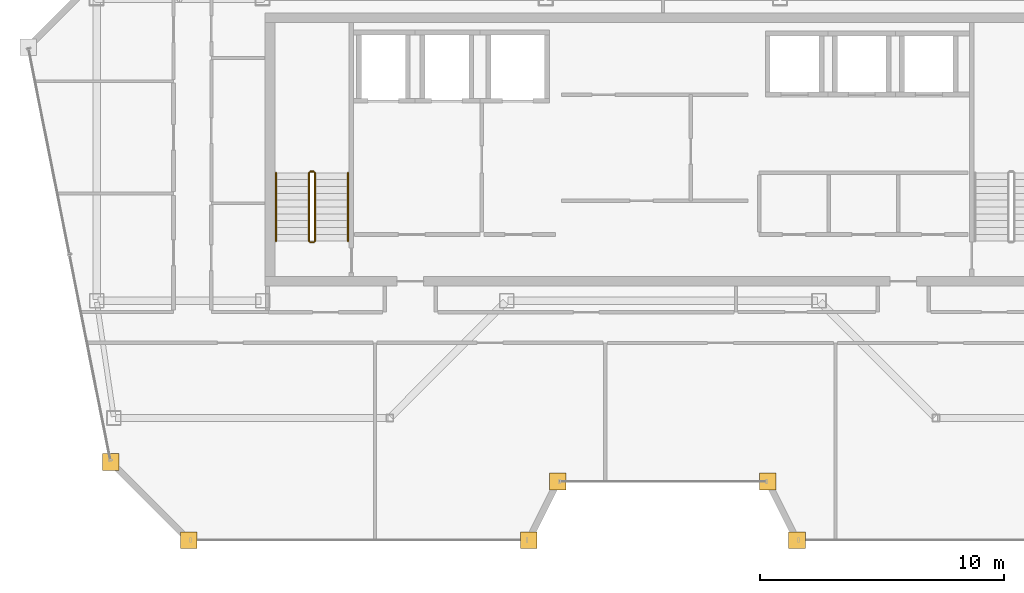
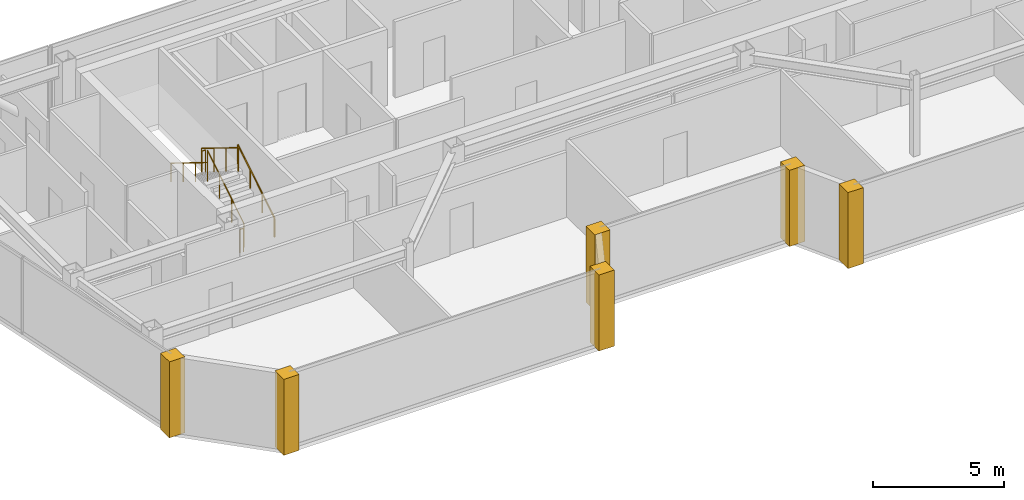
# One storey, part 22 of 24: 6 coverings, 6 railings.
"""IFC4 building model written with IfcOpenShell, lengths in metres."""

from ifc_helpers import new_model, si_unit, direction, frame, origin, origin_2d, place, context, subcontext, project, spatial, polyline, circle, outline, extrude, material, layer, layer_set, type_object, element, save


model = new_model("IFC4")

# Units and contexts
model_context = context("Model", 3, precision=1e-05, world=origin(), true_north=direction((0.0, 1.0)))
body_context = subcontext(model_context, "Body", "Model", "MODEL_VIEW")
ifc_project = project(units=[si_unit("LENGTHUNIT", "METRE"), si_unit("AREAUNIT", "SQUARE_METRE"), si_unit("VOLUMEUNIT", "CUBIC_METRE"), si_unit("PLANEANGLEUNIT", "RADIAN"), si_unit("MASSUNIT", "GRAM", prefix="KILO")], contexts=[model_context])

# Site, building, storey
site_placement = place(None, origin())
site = spatial("IfcSite", under=ifc_project, at=site_placement, CompositionType="ELEMENT")
building_placement = place(site_placement, origin())
building = spatial("IfcBuilding", under=site, at=building_placement, Name="Saevonmaru Cultural Tower", CompositionType="ELEMENT")
storey_placement = place(building_placement, frame((0.0, 0.0, 299.0)))
storey = spatial("IfcBuildingStorey", under=building, at=storey_placement, Name="L71", CompositionType="ELEMENT", Elevation=299.0)

# Coverings
ifc_material_1 = material(Name="Satin Bronze Anodised Aluminium", Category="aluminium")
ifc_layer = layer(ifc_material_1, 0.679931640625, Name="Satin Bronze Anodised Aluminium")
ifc_layer_set = layer_set([ifc_layer], Name="Satin Bronze Anodised Aluminium")
covering_type = type_object("IfcCoveringType", Name="CV-CORNER-CLAD", PredefinedType="CLADDING", material=ifc_layer_set)
covering_1_placement = place(storey_placement, origin())
element("IfcCovering", 1, at=covering_1_placement, inside=storey, type_object=covering_type, Name="L71 Tower Bronze Corner Cladding Pier 1", PredefinedType="CLADDING", context=body_context, shape_type="SweptSolid", body=[
    extrude(outline(polyline([(7.0400390625, 35.4599609375), (7.719970703125, 35.4599609375), (7.719970703125, 36.139892578125), (7.0400390625, 36.139892578125), (7.0400390625, 35.4599609375)])), origin(), (0.0, 0.0, 1.0), 3.550048828125),
])
covering_2_placement = place(storey_placement, origin())
element("IfcCovering", 2, at=covering_2_placement, inside=storey, type_object=covering_type, Name="L71 Tower Bronze Corner Cladding Pier 2", PredefinedType="CLADDING", context=body_context, shape_type="SweptSolid", body=[
    extrude(outline(polyline([(10.239990234375, 32.260009765625), (10.919921875, 32.260009765625), (10.919921875, 32.93994140625), (10.239990234375, 32.93994140625), (10.239990234375, 32.260009765625)])), origin(), (0.0, 0.0, 1.0), 3.550048828125),
])
covering_3_placement = place(storey_placement, origin())
element("IfcCovering", 3, at=covering_3_placement, inside=storey, type_object=covering_type, Name="L71 Tower Bronze Corner Cladding Pier 3", PredefinedType="CLADDING", context=body_context, shape_type="SweptSolid", body=[
    extrude(outline(polyline([(24.159912109375, 32.260009765625), (24.840087890625, 32.260009765625), (24.840087890625, 32.93994140625), (24.159912109375, 32.93994140625), (24.159912109375, 32.260009765625)])), origin(), (0.0, 0.0, 1.0), 3.550048828125),
])
covering_4_placement = place(storey_placement, origin())
element("IfcCovering", 4, at=covering_4_placement, inside=storey, type_object=covering_type, Name="L71 Tower Bronze Corner Cladding Pier 4", PredefinedType="CLADDING", context=body_context, shape_type="SweptSolid", body=[
    extrude(outline(polyline([(25.360107421875, 34.659912109375), (26.0400390625, 34.659912109375), (26.0400390625, 35.340087890625), (25.360107421875, 35.340087890625), (25.360107421875, 34.659912109375)])), origin(), (0.0, 0.0, 1.0), 3.550048828125),
])
covering_5_placement = place(storey_placement, origin())
element("IfcCovering", 5, at=covering_5_placement, inside=storey, type_object=covering_type, Name="L71 Tower Bronze Corner Cladding Pier 5", PredefinedType="CLADDING", context=body_context, shape_type="SweptSolid", body=[
    extrude(outline(polyline([(33.9599609375, 34.659912109375), (34.639892578125, 34.659912109375), (34.639892578125, 35.340087890625), (33.9599609375, 35.340087890625), (33.9599609375, 34.659912109375)])), origin(), (0.0, 0.0, 1.0), 3.550048828125),
])
covering_6_placement = place(storey_placement, origin())
element("IfcCovering", 6, at=covering_6_placement, inside=storey, type_object=covering_type, Name="L71 Tower Bronze Corner Cladding Pier 6", PredefinedType="CLADDING", context=body_context, shape_type="SweptSolid", body=[
    extrude(outline(polyline([(35.159912109375, 32.260009765625), (35.840087890625, 32.260009765625), (35.840087890625, 32.93994140625), (35.159912109375, 32.93994140625), (35.159912109375, 32.260009765625)])), origin(), (0.0, 0.0, 1.0), 3.550048828125),
])

# Railings
ifc_material_2 = material(Name="Architectural Painted Steel", Category="steel")
railing_type_1 = type_object("IfcRailingType", Name="RL-STAIR-GUARD", PredefinedType="GUARDRAIL", material=ifc_material_2)
railing_1_placement = place(storey_placement, frame((15.75, 44.85009765625, 0.172607421875)))
element("IfcRailing", 7, at=railing_1_placement, inside=storey, type_object=railing_type_1, Name="L71 ST-1 stair guard 1", PredefinedType="GUARDRAIL", context=body_context, shape_type="SweptSolid", body=[
    extrude(circle(Radius=0.02392578125, at=origin_2d()), frame((0.0, 0.0, 1.09619140625), z_axis=(0.0, 0.851069175582, 0.525053576669), x_axis=(-1.0, 0.0, 0.0)), (0.0, 0.0, 1.0), 3.289794921875),
    extrude(circle(Radius=0.02099609375, at=origin_2d()), origin(), (0.0, 0.0, 1.0), 1.072021484375),
    extrude(circle(Radius=0.02099609375, at=origin_2d()), frame((0.0, 0.933349609375, 0.57568359375)), (0.0, 0.0, 1.0), 1.072021484375),
    extrude(circle(Radius=0.02099609375, at=origin_2d()), frame((0.0, 1.866455078125, 1.151611328125)), (0.0, 0.0, 1.0), 1.072021484375),
    extrude(circle(Radius=0.02099609375, at=origin_2d()), frame((0.0, 2.7998046875, 1.727294921875)), (0.0, 0.0, 1.0), 1.072021484375),
])
railing_2_placement = place(storey_placement, frame((15.699951171875, 47.699951171875, 1.89990234375)))
element("IfcRailing", 8, at=railing_2_placement, inside=storey, type_object=railing_type_1, Name="L71 ST-1 stair guard 2", PredefinedType="GUARDRAIL", context=body_context, shape_type="SweptSolid", body=[
    extrude(circle(Radius=0.02392578125, at=origin_2d()), frame((0.0, 0.0, 1.09619140625), z_axis=(-1.0, 0.0, 0.0), x_axis=(0.0, -1.0, 0.0)), (0.0, 0.0, 1.0), 0.14990234375),
    extrude(circle(Radius=0.02099609375, at=origin_2d()), origin(), (0.0, 0.0, 1.0), 1.072021484375),
    extrude(circle(Radius=0.02099609375, at=origin_2d()), frame((-0.14990234375, 0.0, 0.0)), (0.0, 0.0, 1.0), 1.072021484375),
])
railing_3_placement = place(storey_placement, frame((15.5, 47.64990234375, 2.07275390625)))
element("IfcRailing", 9, at=railing_3_placement, inside=storey, type_object=railing_type_1, Name="L71 ST-1 stair guard 3", PredefinedType="GUARDRAIL", context=body_context, shape_type="SweptSolid", body=[
    extrude(circle(Radius=0.02392578125, at=origin_2d()), frame((0.0, 0.0, 1.09619140625), z_axis=(0.0, -0.851069175582, 0.525053576669), x_axis=(1.0, 0.0, 0.0)), (0.0, 0.0, 1.0), 3.289794921875),
    extrude(circle(Radius=0.02099609375, at=origin_2d()), origin(), (0.0, 0.0, 1.0), 1.072021484375),
    extrude(circle(Radius=0.02099609375, at=origin_2d()), frame((0.0, -0.933349609375, 0.57568359375)), (0.0, 0.0, 1.0), 1.072021484375),
    extrude(circle(Radius=0.02099609375, at=origin_2d()), frame((0.0, -1.866455078125, 1.151611328125)), (0.0, 0.0, 1.0), 1.072021484375),
    extrude(circle(Radius=0.02099609375, at=origin_2d()), frame((0.0, -2.7998046875, 1.727294921875)), (0.0, 0.0, 1.0), 1.072021484375),
])
railing_4_placement = place(storey_placement, frame((15.699951171875, 44.800048828125, 0.0)))
element("IfcRailing", 10, at=railing_4_placement, inside=storey, type_object=railing_type_1, Name="L71 ST-1 stair guard 4", PredefinedType="GUARDRAIL", context=body_context, shape_type="SweptSolid", body=[
    extrude(circle(Radius=0.02392578125, at=origin_2d()), frame((0.0, 0.0, 1.09619140625), z_axis=(-1.0, 0.0, 0.0), x_axis=(0.0, -1.0, 0.0)), (0.0, 0.0, 1.0), 0.14990234375),
    extrude(circle(Radius=0.02099609375, at=origin_2d()), origin(), (0.0, 0.0, 1.0), 1.072021484375),
    extrude(circle(Radius=0.02099609375, at=origin_2d()), frame((-0.14990234375, 0.0, 0.0)), (0.0, 0.0, 1.0), 1.072021484375),
])
railing_type_2 = type_object("IfcRailingType", Name="RL-STAIR-HANDRAIL", PredefinedType="HANDRAIL", material=ifc_material_1)
railing_5_placement = place(storey_placement, frame((17.10009765625, 44.85009765625, 0.172607421875)))
element("IfcRailing", 11, at=railing_5_placement, inside=storey, type_object=railing_type_2, Name="L71 ST-1 stair handrail 1", PredefinedType="HANDRAIL", context=body_context, shape_type="SweptSolid", body=[
    extrude(circle(Radius=0.02392578125, at=origin_2d()), frame((0.0, 0.0, 0.8759765625), z_axis=(0.0, 0.851069175582, 0.525053576669), x_axis=(-1.0, 0.0, 0.0)), (0.0, 0.0, 1.0), 3.289794921875),
    extrude(circle(Radius=0.02099609375, at=origin_2d()), origin(), (0.0, 0.0, 1.0), 0.851806640625),
    extrude(circle(Radius=0.02099609375, at=origin_2d()), frame((0.0, 0.933349609375, 0.57568359375)), (0.0, 0.0, 1.0), 0.851806640625),
    extrude(circle(Radius=0.02099609375, at=origin_2d()), frame((0.0, 1.866455078125, 1.151611328125)), (0.0, 0.0, 1.0), 0.851806640625),
    extrude(circle(Radius=0.02099609375, at=origin_2d()), frame((0.0, 2.7998046875, 1.727294921875)), (0.0, 0.0, 1.0), 0.851806640625),
])
railing_6_placement = place(storey_placement, frame((14.14990234375, 47.64990234375, 2.07275390625)))
element("IfcRailing", 12, at=railing_6_placement, inside=storey, type_object=railing_type_2, Name="L71 ST-1 stair handrail 2", PredefinedType="HANDRAIL", context=body_context, shape_type="SweptSolid", body=[
    extrude(circle(Radius=0.02392578125, at=origin_2d()), frame((0.0, 0.0, 0.8759765625), z_axis=(0.0, -0.851069175582, 0.525053576669), x_axis=(1.0, 0.0, 0.0)), (0.0, 0.0, 1.0), 3.289794921875),
    extrude(circle(Radius=0.02099609375, at=origin_2d()), origin(), (0.0, 0.0, 1.0), 0.851806640625),
    extrude(circle(Radius=0.02099609375, at=origin_2d()), frame((0.0, -0.933349609375, 0.57568359375)), (0.0, 0.0, 1.0), 0.851806640625),
    extrude(circle(Radius=0.02099609375, at=origin_2d()), frame((0.0, -1.866455078125, 1.151611328125)), (0.0, 0.0, 1.0), 0.851806640625),
    extrude(circle(Radius=0.02099609375, at=origin_2d()), frame((0.0, -2.7998046875, 1.727294921875)), (0.0, 0.0, 1.0), 0.851806640625),
])

save(model, "model.ifc")
